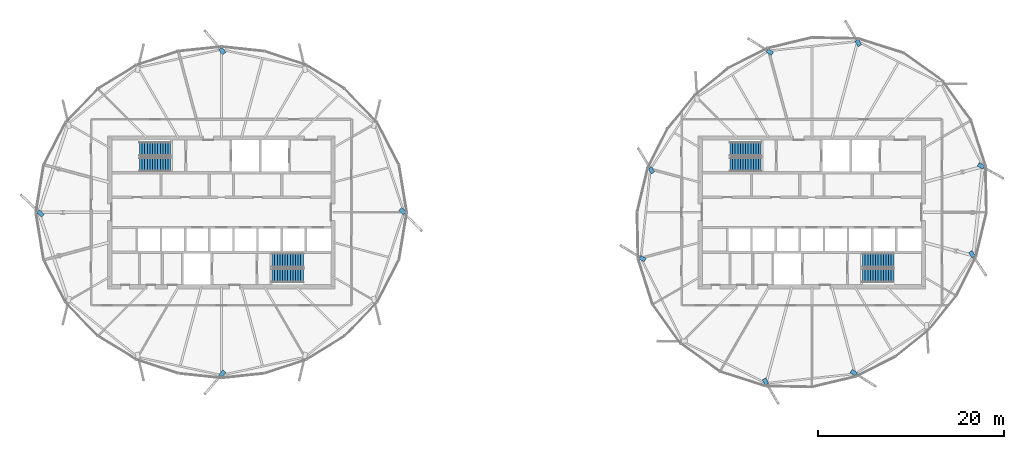
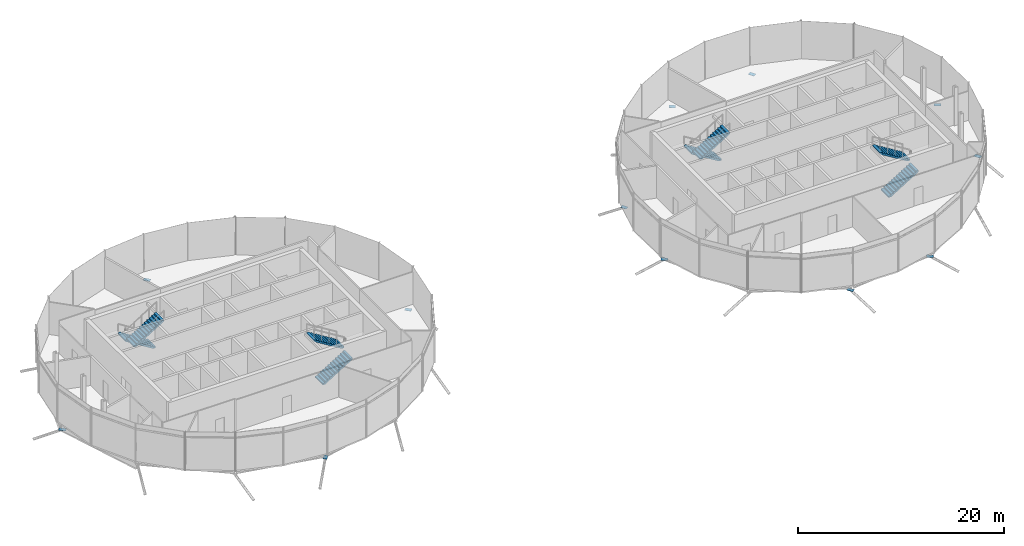
# One storey, part 21 of 31: 12 discrete accessories, 8 stair flights, 4 elements without a shape of their own.
"""IFC4 building model written with IfcOpenShell, lengths in metres."""

from ifc_helpers import new_model, si_unit, direction, frame, origin, origin_2d, place, context, subcontext, project, spatial, polyline, rectangle, outline, extrude, material, material_profile, profile_set, type_object, element, aggregate, save


model = new_model("IFC4")

# Units and contexts
model_context = context("Model", 3, precision=1e-05, world=origin(), true_north=direction((0.0, 1.0)))
body_context = subcontext(model_context, "Body", "Model", "MODEL_VIEW")
ifc_project = project(units=[si_unit("LENGTHUNIT", "METRE"), si_unit("AREAUNIT", "SQUARE_METRE"), si_unit("VOLUMEUNIT", "CUBIC_METRE"), si_unit("PLANEANGLEUNIT", "RADIAN"), si_unit("MASSUNIT", "GRAM", prefix="KILO")], contexts=[model_context])

# Site, building, storey
site_placement = place(None, origin())
site = spatial("IfcSite", under=ifc_project, at=site_placement, CompositionType="ELEMENT")
building_placement = place(site_placement, origin())
building = spatial("IfcBuilding", under=site, at=building_placement, Name="Rimbun Link Towers", CompositionType="ELEMENT")
storey_placement = place(building_placement, frame((0.0, 0.0, 263.10009765625)))
storey = spatial("IfcBuildingStorey", under=building, at=storey_placement, Name="L64", CompositionType="ELEMENT", Elevation=263.10009765625)

# Stair, stair flights
ifc_material_1 = material(Name="Concrete C40/50", Category="concrete")
stair_type = type_object("IfcStairType", Name="Exit stair 4500 rise", PredefinedType="HALF_TURN_STAIR", material=ifc_material_1)
stair_1_placement = place(storey_placement, origin())
stair_1 = element("IfcStair", 1, at=stair_1_placement, inside=storey, type_object=stair_type, Name="L64 EXIT STAIR A", PredefinedType="HALF_TURN_STAIR")
ifc_material_2 = material(Name="Concrete C40/50", Category="concrete")
stair_flight_type = type_object("IfcStairFlightType", Name="Exit stair flight 4500 rise", PredefinedType="STRAIGHT", material=ifc_material_2)
stair_flight_1_placement = place(storey_placement, frame((-37.199951171875, 6.800048828125, 0.0), z_axis=(0.0, 0.0, 1.0), x_axis=(-1.0, 0.0, 0.0)))
stair_flight_1 = element("IfcStairFlight", 2, at=stair_flight_1_placement, type_object=stair_flight_type, Name="ST1 flight 1", NumberOfRisers=13, NumberOfTreads=12, PredefinedType="STRAIGHT", RiserHeight=0.173076923, TreadLength=0.28, context=body_context, shape_type="SweptSolid", body=[
    extrude(outline(polyline([(0.0, 0.0), (0.0, 0.173095703125), (0.280029296875, 0.173095703125), (0.280029296875, 0.34619140625), (0.56005859375, 0.34619140625), (0.56005859375, 0.519287109375), (0.840087890625, 0.519287109375), (0.840087890625, 0.6923828125), (1.1201171875, 0.6923828125), (1.1201171875, 0.865478515625), (1.39990234375, 0.865478515625), (1.39990234375, 1.03857421875), (1.679931640625, 1.03857421875), (1.679931640625, 1.21142578125), (1.9599609375, 1.21142578125), (1.9599609375, 1.384521484375), (2.239990234375, 1.384521484375), (2.239990234375, 1.5576171875), (2.52001953125, 1.5576171875), (2.52001953125, 1.730712890625), (2.800048828125, 1.730712890625), (2.800048828125, 1.90380859375), (3.080078125, 1.90380859375), (3.080078125, 2.076904296875), (3.360107421875, 2.076904296875), (3.360107421875, 2.25), (3.360107421875, 1.900634765625), (0.280029296875, 0.0), (0.0, 0.0)])), frame((0.0, 0.75, 0.0), z_axis=(0.0, -1.0, 0.0), x_axis=(1.0, 0.0, 0.0)), (0.0, 0.0, 1.0), 1.5),
])
stair_flight_2_placement = place(storey_placement, frame((-40.56005859375, 5.14990234375, 2.25), z_axis=(0.0, 0.0, 1.0), x_axis=(1.0, 0.0, 0.0)))
stair_flight_2 = element("IfcStairFlight", 3, at=stair_flight_2_placement, type_object=stair_flight_type, Name="ST1 flight 2", NumberOfRisers=13, NumberOfTreads=12, PredefinedType="STRAIGHT", RiserHeight=0.173076923, TreadLength=0.28, context=body_context, shape_type="SweptSolid", body=[
    extrude(outline(polyline([(0.0, 0.0), (0.0, 0.173095703125), (0.280029296875, 0.173095703125), (0.280029296875, 0.34619140625), (0.56005859375, 0.34619140625), (0.56005859375, 0.519287109375), (0.840087890625, 0.519287109375), (0.840087890625, 0.6923828125), (1.1201171875, 0.6923828125), (1.1201171875, 0.865478515625), (1.39990234375, 0.865478515625), (1.39990234375, 1.03857421875), (1.679931640625, 1.03857421875), (1.679931640625, 1.21142578125), (1.9599609375, 1.21142578125), (1.9599609375, 1.384521484375), (2.239990234375, 1.384521484375), (2.239990234375, 1.5576171875), (2.52001953125, 1.5576171875), (2.52001953125, 1.730712890625), (2.800048828125, 1.730712890625), (2.800048828125, 1.90380859375), (3.080078125, 1.90380859375), (3.080078125, 2.076904296875), (3.360107421875, 2.076904296875), (3.360107421875, 2.25), (3.360107421875, 1.900634765625), (0.280029296875, 0.0), (0.0, 0.0)])), frame((0.0, 0.75, 0.0), z_axis=(0.0, -1.0, 0.0), x_axis=(1.0, 0.0, 0.0)), (0.0, 0.0, 1.0), 1.5),
])
aggregate(stair_1, [stair_flight_1, stair_flight_2])

stair_2_placement = place(storey_placement, origin())
stair_2 = element("IfcStair", 4, at=stair_2_placement, inside=storey, type_object=stair_type, Name="L64 EXIT STAIR B", PredefinedType="HALF_TURN_STAIR")
stair_flight_3_placement = place(storey_placement, frame((-26.300048828125, -6.800048828125, 0.0), z_axis=(0.0, 0.0, 1.0), x_axis=(1.0, 0.0, 0.0)))
stair_flight_3 = element("IfcStairFlight", 5, at=stair_flight_3_placement, type_object=stair_flight_type, Name="ST2 flight 1", NumberOfRisers=13, NumberOfTreads=12, PredefinedType="STRAIGHT", RiserHeight=0.173076923, TreadLength=0.28, context=body_context, shape_type="SweptSolid", body=[
    extrude(outline(polyline([(0.0, 0.0), (0.0, 0.173095703125), (0.280029296875, 0.173095703125), (0.280029296875, 0.34619140625), (0.56005859375, 0.34619140625), (0.56005859375, 0.519287109375), (0.840087890625, 0.519287109375), (0.840087890625, 0.6923828125), (1.1201171875, 0.6923828125), (1.1201171875, 0.865478515625), (1.39990234375, 0.865478515625), (1.39990234375, 1.03857421875), (1.679931640625, 1.03857421875), (1.679931640625, 1.21142578125), (1.9599609375, 1.21142578125), (1.9599609375, 1.384521484375), (2.239990234375, 1.384521484375), (2.239990234375, 1.5576171875), (2.52001953125, 1.5576171875), (2.52001953125, 1.730712890625), (2.800048828125, 1.730712890625), (2.800048828125, 1.90380859375), (3.080078125, 1.90380859375), (3.080078125, 2.076904296875), (3.360107421875, 2.076904296875), (3.360107421875, 2.25), (3.360107421875, 1.900634765625), (0.280029296875, 0.0), (0.0, 0.0)])), frame((0.0, 0.75, 0.0), z_axis=(0.0, -1.0, 0.0), x_axis=(1.0, 0.0, 0.0)), (0.0, 0.0, 1.0), 1.5),
])
stair_flight_4_placement = place(storey_placement, frame((-22.93994140625, -5.14990234375, 2.25), z_axis=(0.0, 0.0, 1.0), x_axis=(-1.0, 0.0, 0.0)))
stair_flight_4 = element("IfcStairFlight", 6, at=stair_flight_4_placement, type_object=stair_flight_type, Name="ST2 flight 2", NumberOfRisers=13, NumberOfTreads=12, PredefinedType="STRAIGHT", RiserHeight=0.173076923, TreadLength=0.28, context=body_context, shape_type="SweptSolid", body=[
    extrude(outline(polyline([(0.0, 0.0), (0.0, 0.173095703125), (0.280029296875, 0.173095703125), (0.280029296875, 0.34619140625), (0.56005859375, 0.34619140625), (0.56005859375, 0.519287109375), (0.840087890625, 0.519287109375), (0.840087890625, 0.6923828125), (1.1201171875, 0.6923828125), (1.1201171875, 0.865478515625), (1.39990234375, 0.865478515625), (1.39990234375, 1.03857421875), (1.679931640625, 1.03857421875), (1.679931640625, 1.21142578125), (1.9599609375, 1.21142578125), (1.9599609375, 1.384521484375), (2.239990234375, 1.384521484375), (2.239990234375, 1.5576171875), (2.52001953125, 1.5576171875), (2.52001953125, 1.730712890625), (2.800048828125, 1.730712890625), (2.800048828125, 1.90380859375), (3.080078125, 1.90380859375), (3.080078125, 2.076904296875), (3.360107421875, 2.076904296875), (3.360107421875, 2.25), (3.360107421875, 1.900634765625), (0.280029296875, 0.0), (0.0, 0.0)])), frame((0.0, 0.75, 0.0), z_axis=(0.0, -1.0, 0.0), x_axis=(1.0, 0.0, 0.0)), (0.0, 0.0, 1.0), 1.5),
])
aggregate(stair_2, [stair_flight_3, stair_flight_4])

stair_3_placement = place(storey_placement, origin())
stair_3 = element("IfcStair", 7, at=stair_3_placement, inside=storey, type_object=stair_type, Name="L64 EXIT STAIR A", PredefinedType="HALF_TURN_STAIR")
stair_flight_5_placement = place(storey_placement, frame((26.300048828125, 6.800048828125, 0.0), z_axis=(0.0, 0.0, 1.0), x_axis=(-1.0, 0.0, 0.0)))
stair_flight_5 = element("IfcStairFlight", 8, at=stair_flight_5_placement, type_object=stair_flight_type, Name="ST3 flight 1", NumberOfRisers=13, NumberOfTreads=12, PredefinedType="STRAIGHT", RiserHeight=0.173076923, TreadLength=0.28, context=body_context, shape_type="SweptSolid", body=[
    extrude(outline(polyline([(0.0, 0.0), (0.0, 0.173095703125), (0.280029296875, 0.173095703125), (0.280029296875, 0.34619140625), (0.56005859375, 0.34619140625), (0.56005859375, 0.519287109375), (0.840087890625, 0.519287109375), (0.840087890625, 0.6923828125), (1.1201171875, 0.6923828125), (1.1201171875, 0.865478515625), (1.39990234375, 0.865478515625), (1.39990234375, 1.03857421875), (1.679931640625, 1.03857421875), (1.679931640625, 1.21142578125), (1.9599609375, 1.21142578125), (1.9599609375, 1.384521484375), (2.239990234375, 1.384521484375), (2.239990234375, 1.5576171875), (2.52001953125, 1.5576171875), (2.52001953125, 1.730712890625), (2.800048828125, 1.730712890625), (2.800048828125, 1.90380859375), (3.080078125, 1.90380859375), (3.080078125, 2.076904296875), (3.360107421875, 2.076904296875), (3.360107421875, 2.25), (3.360107421875, 1.900634765625), (0.280029296875, 0.0), (0.0, 0.0)])), frame((0.0, 0.75, 0.0), z_axis=(0.0, -1.0, 0.0), x_axis=(1.0, 0.0, 0.0)), (0.0, 0.0, 1.0), 1.5),
])
stair_flight_6_placement = place(storey_placement, frame((22.93994140625, 5.14990234375, 2.25), z_axis=(0.0, 0.0, 1.0), x_axis=(1.0, 0.0, 0.0)))
stair_flight_6 = element("IfcStairFlight", 9, at=stair_flight_6_placement, type_object=stair_flight_type, Name="ST3 flight 2", NumberOfRisers=13, NumberOfTreads=12, PredefinedType="STRAIGHT", RiserHeight=0.173076923, TreadLength=0.28, context=body_context, shape_type="SweptSolid", body=[
    extrude(outline(polyline([(0.0, 0.0), (0.0, 0.173095703125), (0.280029296875, 0.173095703125), (0.280029296875, 0.34619140625), (0.56005859375, 0.34619140625), (0.56005859375, 0.519287109375), (0.840087890625, 0.519287109375), (0.840087890625, 0.6923828125), (1.1201171875, 0.6923828125), (1.1201171875, 0.865478515625), (1.39990234375, 0.865478515625), (1.39990234375, 1.03857421875), (1.679931640625, 1.03857421875), (1.679931640625, 1.21142578125), (1.9599609375, 1.21142578125), (1.9599609375, 1.384521484375), (2.239990234375, 1.384521484375), (2.239990234375, 1.5576171875), (2.52001953125, 1.5576171875), (2.52001953125, 1.730712890625), (2.800048828125, 1.730712890625), (2.800048828125, 1.90380859375), (3.080078125, 1.90380859375), (3.080078125, 2.076904296875), (3.360107421875, 2.076904296875), (3.360107421875, 2.25), (3.360107421875, 1.900634765625), (0.280029296875, 0.0), (0.0, 0.0)])), frame((0.0, 0.75, 0.0), z_axis=(0.0, -1.0, 0.0), x_axis=(1.0, 0.0, 0.0)), (0.0, 0.0, 1.0), 1.5),
])
aggregate(stair_3, [stair_flight_5, stair_flight_6])

stair_4_placement = place(storey_placement, origin())
stair_4 = element("IfcStair", 10, at=stair_4_placement, inside=storey, type_object=stair_type, Name="L64 EXIT STAIR B", PredefinedType="HALF_TURN_STAIR")
stair_flight_7_placement = place(storey_placement, frame((37.199951171875, -6.800048828125, 0.0), z_axis=(0.0, 0.0, 1.0), x_axis=(1.0, 0.0, 0.0)))
stair_flight_7 = element("IfcStairFlight", 11, at=stair_flight_7_placement, type_object=stair_flight_type, Name="ST4 flight 1", NumberOfRisers=13, NumberOfTreads=12, PredefinedType="STRAIGHT", RiserHeight=0.173076923, TreadLength=0.28, context=body_context, shape_type="SweptSolid", body=[
    extrude(outline(polyline([(0.0, 0.0), (0.0, 0.173095703125), (0.280029296875, 0.173095703125), (0.280029296875, 0.34619140625), (0.56005859375, 0.34619140625), (0.56005859375, 0.519287109375), (0.840087890625, 0.519287109375), (0.840087890625, 0.6923828125), (1.1201171875, 0.6923828125), (1.1201171875, 0.865478515625), (1.39990234375, 0.865478515625), (1.39990234375, 1.03857421875), (1.679931640625, 1.03857421875), (1.679931640625, 1.21142578125), (1.9599609375, 1.21142578125), (1.9599609375, 1.384521484375), (2.239990234375, 1.384521484375), (2.239990234375, 1.5576171875), (2.52001953125, 1.5576171875), (2.52001953125, 1.730712890625), (2.800048828125, 1.730712890625), (2.800048828125, 1.90380859375), (3.080078125, 1.90380859375), (3.080078125, 2.076904296875), (3.360107421875, 2.076904296875), (3.360107421875, 2.25), (3.360107421875, 1.900634765625), (0.280029296875, 0.0), (0.0, 0.0)])), frame((0.0, 0.75, 0.0), z_axis=(0.0, -1.0, 0.0), x_axis=(1.0, 0.0, 0.0)), (0.0, 0.0, 1.0), 1.5),
])
stair_flight_8_placement = place(storey_placement, frame((40.56005859375, -5.14990234375, 2.25), z_axis=(0.0, 0.0, 1.0), x_axis=(-1.0, 0.0, 0.0)))
stair_flight_8 = element("IfcStairFlight", 12, at=stair_flight_8_placement, type_object=stair_flight_type, Name="ST4 flight 2", NumberOfRisers=13, NumberOfTreads=12, PredefinedType="STRAIGHT", RiserHeight=0.173076923, TreadLength=0.28, context=body_context, shape_type="SweptSolid", body=[
    extrude(outline(polyline([(0.0, 0.0), (0.0, 0.173095703125), (0.280029296875, 0.173095703125), (0.280029296875, 0.34619140625), (0.56005859375, 0.34619140625), (0.56005859375, 0.519287109375), (0.840087890625, 0.519287109375), (0.840087890625, 0.6923828125), (1.1201171875, 0.6923828125), (1.1201171875, 0.865478515625), (1.39990234375, 0.865478515625), (1.39990234375, 1.03857421875), (1.679931640625, 1.03857421875), (1.679931640625, 1.21142578125), (1.9599609375, 1.21142578125), (1.9599609375, 1.384521484375), (2.239990234375, 1.384521484375), (2.239990234375, 1.5576171875), (2.52001953125, 1.5576171875), (2.52001953125, 1.730712890625), (2.800048828125, 1.730712890625), (2.800048828125, 1.90380859375), (3.080078125, 1.90380859375), (3.080078125, 2.076904296875), (3.360107421875, 2.076904296875), (3.360107421875, 2.25), (3.360107421875, 1.900634765625), (0.280029296875, 0.0), (0.0, 0.0)])), frame((0.0, 0.75, 0.0), z_axis=(0.0, -1.0, 0.0), x_axis=(1.0, 0.0, 0.0)), (0.0, 0.0, 1.0), 1.5),
])
aggregate(stair_4, [stair_flight_7, stair_flight_8])

# Discrete accessories
ifc_material_3 = material(Name="Steel S355J2H", Category="steel")
ifc_material_profile = material_profile(ifc_material_3, rectangle(XDim=0.43310546875, YDim=0.43310546875, at=origin_2d()), Name="PL 433x433")
ifc_profile_set = profile_set([ifc_material_profile], Name="Steel S355J2H")
discrete_accessory_type = type_object("IfcDiscreteAccessoryType", Name="Link head end plate 433X20", PredefinedType="BRACKET", material=ifc_profile_set)
discrete_accessory_1_placement = place(storey_placement, frame((0.0, 0.0, -0.6064453125)))
element("IfcDiscreteAccessory", 13, at=discrete_accessory_1_placement, inside=storey, type_object=discrete_accessory_type, Name="Link head end plate T1 L64 00", PredefinedType="BRACKET", context=body_context, shape_type="SweptSolid", body=[
    extrude(outline(polyline([(-12.65771484375, 0.20068359375), (-12.182861328125, -0.283203125), (-11.873779296875, 0.020263671875), (-12.3486328125, 0.50390625), (-12.65771484375, 0.20068359375)])), origin(), (0.0, 0.0, 1.0), 0.02001953125),
])
discrete_accessory_2_placement = place(storey_placement, frame((0.0, 0.0, -0.733154296875)))
element("IfcDiscreteAccessory", 14, at=discrete_accessory_2_placement, inside=storey, type_object=discrete_accessory_type, Name="Link head end plate T1 L64 06", PredefinedType="BRACKET", context=body_context, shape_type="SweptSolid", body=[
    extrude(outline(polyline([(-31.258056640625, 17.2236328125), (-31.7060546875, 17.743408203125), (-32.033935546875, 17.4609375), (-31.586181640625, 16.94091796875), (-31.258056640625, 17.2236328125)])), origin(), (0.0, 0.0, 1.0), 0.02001953125),
])
discrete_accessory_3_placement = place(storey_placement, frame((0.0, 0.0, -1.040771484375)))
element("IfcDiscreteAccessory", 15, at=discrete_accessory_3_placement, inside=storey, type_object=discrete_accessory_type, Name="Link head end plate T1 L64 12", PredefinedType="BRACKET", context=body_context, shape_type="SweptSolid", body=[
    extrude(outline(polyline([(-50.80517578125, -0.2158203125), (-51.324462890625, 0.28271484375), (-51.624267578125, -0.02978515625), (-51.104736328125, -0.5283203125), (-50.80517578125, -0.2158203125)])), origin(), (0.0, 0.0, 1.0), 0.02001953125),
])
discrete_accessory_4_placement = place(storey_placement, frame((0.0, 0.0, -0.733154296875)))
element("IfcDiscreteAccessory", 16, at=discrete_accessory_4_placement, inside=storey, type_object=discrete_accessory_type, Name="Link head end plate T1 L64 18", PredefinedType="BRACKET", context=body_context, shape_type="SweptSolid", body=[
    extrude(outline(polyline([(-31.586181640625, -16.94091796875), (-32.033935546875, -17.4609375), (-31.7060546875, -17.743408203125), (-31.258056640625, -17.2236328125), (-31.586181640625, -16.94091796875)])), origin(), (0.0, 0.0, 1.0), 0.02001953125),
])
discrete_accessory_5_placement = place(storey_placement, frame((0.0, 0.0, -0.802734375)))
element("IfcDiscreteAccessory", 17, at=discrete_accessory_5_placement, inside=storey, type_object=discrete_accessory_type, Name="Link head end plate T2 L64 02", PredefinedType="BRACKET", context=body_context, shape_type="SweptSolid", body=[
    extrude(outline(polyline([(37.096923828125, 18.022705078125), (36.758056640625, 18.606201171875), (36.3837890625, 18.388427734375), (36.72265625, 17.80517578125), (37.096923828125, 18.022705078125)])), origin(), (0.0, 0.0, 1.0), 0.02001953125),
])
discrete_accessory_6_placement = place(storey_placement, frame((0.0, 0.0, -0.733154296875)))
element("IfcDiscreteAccessory", 18, at=discrete_accessory_6_placement, inside=storey, type_object=discrete_accessory_type, Name="Link head end plate T2 L64 04", PredefinedType="BRACKET", context=body_context, shape_type="SweptSolid", body=[
    extrude(outline(polyline([(27.6357421875, 17.243408203125), (27.068115234375, 17.597900390625), (26.838623046875, 17.230712890625), (27.406494140625, 16.876220703125), (27.6357421875, 17.243408203125)])), origin(), (0.0, 0.0, 1.0), 0.02001953125),
])
discrete_accessory_7_placement = place(storey_placement, frame((0.0, 0.0, -0.50341796875)))
element("IfcDiscreteAccessory", 19, at=discrete_accessory_7_placement, inside=storey, type_object=discrete_accessory_type, Name="Link head end plate T2 L64 08", PredefinedType="BRACKET", context=body_context, shape_type="SweptSolid", body=[
    extrude(outline(polyline([(14.85888671875, 4.353515625), (14.523193359375, 4.910888671875), (14.152099609375, 4.6875), (14.48828125, 4.1298828125), (14.85888671875, 4.353515625)])), origin(), (0.0, 0.0, 1.0), 0.02001953125),
])
discrete_accessory_8_placement = place(storey_placement, frame((0.0, 0.0, -0.55517578125)))
element("IfcDiscreteAccessory", 20, at=discrete_accessory_8_placement, inside=storey, type_object=discrete_accessory_type, Name="Link head end plate T2 L64 10", PredefinedType="BRACKET", context=body_context, shape_type="SweptSolid", body=[
    extrude(outline(polyline([(13.925048828125, -4.97119140625), (13.365478515625, -4.632080078125), (13.141357421875, -5.002685546875), (13.70068359375, -5.341552734375), (13.925048828125, -4.97119140625)])), origin(), (0.0, 0.0, 1.0), 0.02001953125),
])
discrete_accessory_9_placement = place(storey_placement, frame((0.0, 0.0, -0.802734375)))
element("IfcDiscreteAccessory", 21, at=discrete_accessory_9_placement, inside=storey, type_object=discrete_accessory_type, Name="Link head end plate T2 L64 14", PredefinedType="BRACKET", context=body_context, shape_type="SweptSolid", body=[
    extrude(outline(polyline([(26.403076171875, -18.022705078125), (26.741943359375, -18.606201171875), (27.1162109375, -18.388427734375), (26.77734375, -17.80517578125), (26.403076171875, -18.022705078125)])), origin(), (0.0, 0.0, 1.0), 0.02001953125),
])
discrete_accessory_10_placement = place(storey_placement, frame((0.0, 0.0, -0.733154296875)))
element("IfcDiscreteAccessory", 22, at=discrete_accessory_10_placement, inside=storey, type_object=discrete_accessory_type, Name="Link head end plate T2 L64 16", PredefinedType="BRACKET", context=body_context, shape_type="SweptSolid", body=[
    extrude(outline(polyline([(35.8642578125, -17.243408203125), (36.431884765625, -17.597900390625), (36.661376953125, -17.230712890625), (36.093505859375, -16.876220703125), (35.8642578125, -17.243408203125)])), origin(), (0.0, 0.0, 1.0), 0.02001953125),
])
discrete_accessory_11_placement = place(storey_placement, frame((0.0, 0.0, -1.040771484375)))
element("IfcDiscreteAccessory", 23, at=discrete_accessory_11_placement, inside=storey, type_object=discrete_accessory_type, Name="Link head end plate T2 L64 20", PredefinedType="BRACKET", context=body_context, shape_type="SweptSolid", body=[
    extrude(outline(polyline([(48.602783203125, -4.3271484375), (48.98583984375, -4.912109375), (49.347900390625, -4.6748046875), (48.96484375, -4.08984375), (48.602783203125, -4.3271484375)])), origin(), (0.0, 0.0, 1.0), 0.02001953125),
])
discrete_accessory_12_placement = place(storey_placement, frame((0.0, 0.0, -1.040771484375)))
element("IfcDiscreteAccessory", 24, at=discrete_accessory_12_placement, inside=storey, type_object=discrete_accessory_type, Name="Link head end plate T2 L64 22", PredefinedType="BRACKET", context=body_context, shape_type="SweptSolid", body=[
    extrude(outline(polyline([(49.533203125, 4.97509765625), (50.142578125, 4.635009765625), (50.353515625, 5.01318359375), (49.744140625, 5.353271484375), (49.533203125, 4.97509765625)])), origin(), (0.0, 0.0, 1.0), 0.02001953125),
])

save(model, "model.ifc")
